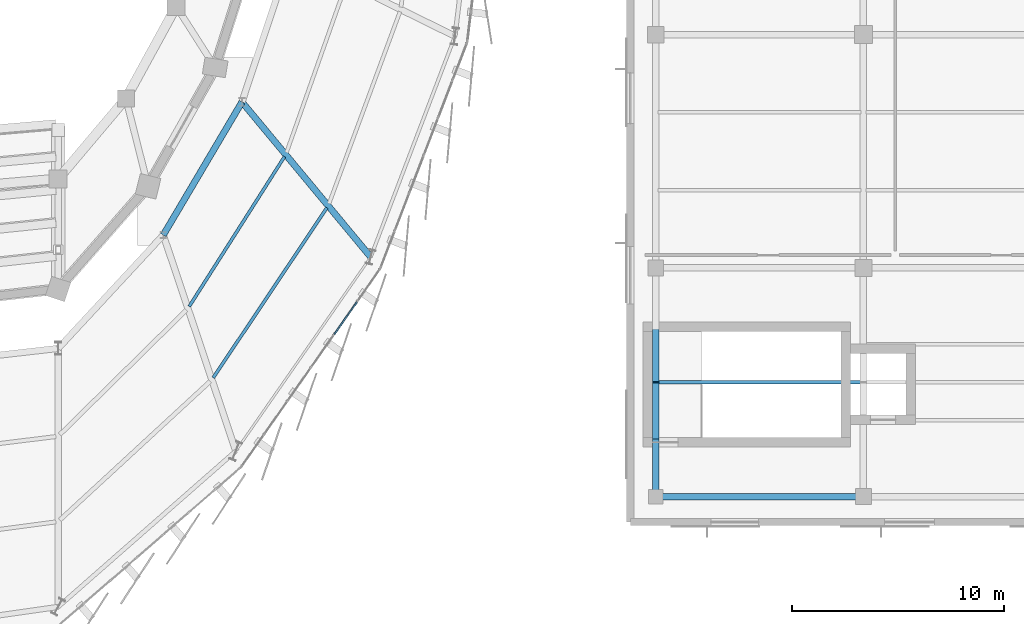
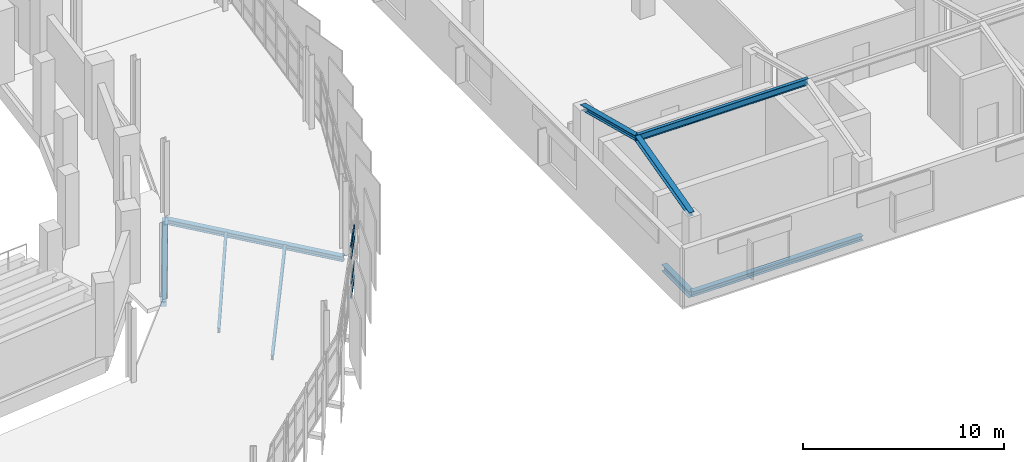
# One storey, part 62 of 120: 9 beams, 4 members, 1 element without a shape of its own.
"""IFC4 building model written with IfcOpenShell, lengths in metres."""

from ifc_helpers import new_model, si_unit, direction, frame, origin, origin_2d, place, context, subcontext, project, spatial, rectangle, i_section, extrude, material, layer, layer_set, material_profile, profile_set, type_object, element, aggregate, save


model = new_model("IFC4")

# Units and contexts
model_context = context("Model", 3, precision=1e-05, world=origin(), true_north=direction((0.0, 1.0)))
body_context = subcontext(model_context, "Body", "Model", "MODEL_VIEW")
ifc_project = project(units=[si_unit("LENGTHUNIT", "METRE"), si_unit("AREAUNIT", "SQUARE_METRE"), si_unit("VOLUMEUNIT", "CUBIC_METRE"), si_unit("PLANEANGLEUNIT", "RADIAN"), si_unit("MASSUNIT", "GRAM", prefix="KILO")], contexts=[model_context])

# Site, building, storey
site_placement = place(None, origin())
site = spatial("IfcSite", under=ifc_project, at=site_placement, CompositionType="ELEMENT")
building_placement = place(site_placement, origin())
building = spatial("IfcBuilding", under=site, at=building_placement, Name="Sohan Crest Arena", CompositionType="ELEMENT")
storey_placement = place(building_placement, frame((0.0, 0.0, 13.5)))
storey = spatial("IfcBuildingStorey", under=building, at=storey_placement, Name="L03", CompositionType="ELEMENT", Elevation=13.5)

# Curtain wall, members
ifc_material_1 = material(Name="Thermally broken anodised aluminium", Category="aluminium")
ifc_layer = layer(ifc_material_1, 0.219970703125, Name="Thermally broken anodised aluminium")
ifc_layer_set = layer_set([ifc_layer], Name="Thermally broken anodised aluminium")
curtain_wall_type = type_object("IfcCurtainWallType", Name="ARC-CW03", PredefinedType="NOTDEFINED", material=ifc_layer_set)
curtain_wall_placement = place(storey_placement, origin())
curtain_wall = element("IfcCurtainWall", 1, at=curtain_wall_placement, inside=storey, type_object=curtain_wall_type, Name="Unitised curtain wall CW-098", PredefinedType="NOTDEFINED")
ifc_material_profile_1 = material_profile(ifc_material_1, rectangle(XDim=0.070068359375, YDim=0.14990234375, at=origin_2d()), Name="ALU-TRAN 70x150")
ifc_profile_set_1 = profile_set([ifc_material_profile_1], Name="Thermally broken anodised aluminium")
member_type = type_object("IfcMemberType", Name="ARC-CW-TR03", PredefinedType="USERDEFINED", material=ifc_profile_set_1)
member_1_placement = place(storey_placement, frame((181.031982421875, 52.869140625, 0.034912109375), z_axis=(0.57383498581, 0.818970945187, 0.0), x_axis=(-0.818970945187, 0.57383498581, 0.0)))
member_1 = element("IfcMember", 2, at=member_1_placement, type_object=member_type, Name="CW-098 transom 5.1", ObjectType="TRANSOM", PredefinedType="USERDEFINED", context=body_context, shape_type="SweptSolid", body=[
    extrude(rectangle(XDim=0.070068359375, YDim=0.14990234375, at=origin_2d()), origin(), (0.0, 0.0, 1.0), 1.846435546875),
])
member_2_placement = place(storey_placement, frame((181.031982421875, 52.869140625, 0.89990234375), z_axis=(0.57383498581, 0.818970945187, 0.0), x_axis=(-0.818970945187, 0.57383498581, 0.0)))
member_2 = element("IfcMember", 3, at=member_2_placement, type_object=member_type, Name="CW-098 transom 5.2", ObjectType="TRANSOM", PredefinedType="USERDEFINED", context=body_context, shape_type="SweptSolid", body=[
    extrude(rectangle(XDim=0.070068359375, YDim=0.14990234375, at=origin_2d()), origin(), (0.0, 0.0, 1.0), 1.846435546875),
])
member_3_placement = place(storey_placement, frame((181.031982421875, 52.869140625, 2.419921875), z_axis=(0.57383498581, 0.818970945187, 0.0), x_axis=(-0.818970945187, 0.57383498581, 0.0)))
member_3 = element("IfcMember", 4, at=member_3_placement, type_object=member_type, Name="CW-098 transom 5.3", ObjectType="TRANSOM", PredefinedType="USERDEFINED", context=body_context, shape_type="SweptSolid", body=[
    extrude(rectangle(XDim=0.070068359375, YDim=0.14990234375, at=origin_2d()), origin(), (0.0, 0.0, 1.0), 1.846435546875),
])
member_4_placement = place(storey_placement, frame((181.031982421875, 52.869140625, 3.0849609375), z_axis=(0.57383498581, 0.818970945187, 0.0), x_axis=(-0.818970945187, 0.57383498581, 0.0)))
member_4 = element("IfcMember", 5, at=member_4_placement, type_object=member_type, Name="CW-098 transom 5.4", ObjectType="TRANSOM", PredefinedType="USERDEFINED", context=body_context, shape_type="SweptSolid", body=[
    extrude(rectangle(XDim=0.070068359375, YDim=0.14990234375, at=origin_2d()), origin(), (0.0, 0.0, 1.0), 1.846435546875),
])
aggregate(curtain_wall, [member_1, member_2, member_3, member_4])

# Beams
ifc_material_2 = material(Name="Steel S355", Category="steel")
ifc_material_profile_2 = material_profile(ifc_material_2, i_section(OverallWidth=0.14990234375, OverallDepth=0.300048828125, WebThickness=0.007080078125, FlangeThickness=0.0107421875, at=origin_2d()), Name="IPE 300")
ifc_profile_set_2 = profile_set([ifc_material_profile_2], Name="Steel S355")
beam_type_1 = type_object("IfcBeamType", Name="STR-BM-B01", PredefinedType="JOIST", material=ifc_profile_set_2)
beam_1_placement = place(storey_placement, frame((174.18310546875, 54.175048828125, -0.39990234375), z_axis=(0.536679400997, 0.843786241027, 0.0), x_axis=(-0.843786241027, 0.536679400997, 0.0)))
element("IfcBeam", 6, at=beam_1_placement, inside=storey, type_object=beam_type_1, Name="Structural beam J-L03-1488", PredefinedType="JOIST", context=body_context, shape_type="SweptSolid", body=[
    extrude(i_section(OverallWidth=0.14990234375, OverallDepth=0.300048828125, WebThickness=0.007080078125, FlangeThickness=0.0107421875, at=origin_2d()), origin(), (0.0, 0.0, 1.0), 8.37890625),
])
beam_2_placement = place(storey_placement, frame((175.31494140625, 50.80908203125, -0.39990234375), z_axis=(0.556006645923, 0.831177844802, 0.0), x_axis=(-0.831177844802, 0.556006645923, 0.0)))
element("IfcBeam", 7, at=beam_2_placement, inside=storey, type_object=beam_type_1, Name="Structural beam J-L03-1489", PredefinedType="JOIST", context=body_context, shape_type="SweptSolid", body=[
    extrude(i_section(OverallWidth=0.14990234375, OverallDepth=0.300048828125, WebThickness=0.007080078125, FlangeThickness=0.0107421875, at=origin_2d()), origin(), (0.0, 0.0, 1.0), 9.65478515625),
])
ifc_material_profile_3 = material_profile(ifc_material_2, i_section(OverallWidth=0.179931640625, OverallDepth=0.39990234375, WebThickness=0.008544921875, FlangeThickness=0.013427734375, at=origin_2d()), Name="IPE 400")
ifc_profile_set_3 = profile_set([ifc_material_profile_3], Name="Steel S355")
beam_type_2 = type_object("IfcBeamType", Name="STR-BM-B03", PredefinedType="JOIST", material=ifc_profile_set_3)
beam_3_placement = place(storey_placement, frame((196.199951171875, 50.60009765625, 5.820068359375), z_axis=(1.0, 0.0, 0.0), x_axis=(0.0, 1.0, 0.0)))
element("IfcBeam", 8, at=beam_3_placement, inside=storey, type_object=beam_type_2, Name="Structural beam SVP-L03-3181", PredefinedType="JOIST", context=body_context, shape_type="SweptSolid", body=[
    extrude(i_section(OverallWidth=0.179931640625, OverallDepth=0.39990234375, WebThickness=0.008544921875, FlangeThickness=0.013427734375, at=origin_2d()), origin(), (0.0, 0.0, 1.0), 9.800048828125),
])
ifc_material_profile_4 = material_profile(ifc_material_2, i_section(OverallWidth=0.300048828125, OverallDepth=0.2900390625, WebThickness=0.008544921875, FlangeThickness=0.013916015625, at=origin_2d()), Name="HEA 300")
ifc_profile_set_4 = profile_set([ifc_material_profile_4], Name="Steel S355")
beam_type_3 = type_object("IfcBeamType", Name="STR-BM-B08", PredefinedType="BEAM", material=ifc_profile_set_4)
beam_4_placement = place(storey_placement, frame((196.199951171875, 45.199951171875, -0.375), z_axis=(1.0, 0.0, 0.0), x_axis=(0.0, 1.0, 0.0)))
element("IfcBeam", 9, at=beam_4_placement, inside=storey, type_object=beam_type_3, Name="Structural beam G-L03-2358", PredefinedType="BEAM", context=body_context, shape_type="SweptSolid", body=[
    extrude(i_section(OverallWidth=0.300048828125, OverallDepth=0.2900390625, WebThickness=0.008544921875, FlangeThickness=0.013916015625, at=origin_2d()), origin(), (0.0, 0.0, 1.0), 9.800048828125),
])
beam_5_placement = place(storey_placement, frame((196.199951171875, 45.199951171875, 4.419921875), z_axis=(0.0, 0.967992172948, 0.250980383917), x_axis=(-1.0, 0.0, 0.0)))
element("IfcBeam", 10, at=beam_5_placement, inside=storey, type_object=beam_type_3, Name="Structural beam SVA-L03-3173", PredefinedType="BEAM", context=body_context, shape_type="SweptSolid", body=[
    extrude(i_section(OverallWidth=0.300048828125, OverallDepth=0.2900390625, WebThickness=0.008544921875, FlangeThickness=0.013916015625, at=origin_2d()), origin(), (0.0, 0.0, 1.0), 5.57861328125),
])
beam_6_placement = place(storey_placement, frame((196.199951171875, 50.60009765625, 5.820068359375), z_axis=(0.0, 0.967989416096, -0.250991016426), x_axis=(-1.0, 0.0, 0.0)))
element("IfcBeam", 11, at=beam_6_placement, inside=storey, type_object=beam_type_3, Name="Structural beam SVA-L03-3174", PredefinedType="BEAM", context=body_context, shape_type="SweptSolid", body=[
    extrude(i_section(OverallWidth=0.300048828125, OverallDepth=0.2900390625, WebThickness=0.008544921875, FlangeThickness=0.013916015625, at=origin_2d()), origin(), (0.0, 0.0, 1.0), 5.578369140625),
])
ifc_material_profile_5 = material_profile(ifc_material_2, i_section(OverallWidth=0.300048828125, OverallDepth=0.389892578125, WebThickness=0.010986328125, FlangeThickness=0.01904296875, at=origin_2d()), Name="HEA 400")
ifc_profile_set_5 = profile_set([ifc_material_profile_5], Name="Steel S355")
beam_type_4 = type_object("IfcBeamType", Name="STR-BM-B09", PredefinedType="BEAM", material=ifc_profile_set_5)
beam_7_placement = place(storey_placement, frame((196.199951171875, 45.199951171875, -0.425048828125), z_axis=(0.0, 1.0, 0.0), x_axis=(-1.0, 0.0, 0.0)))
element("IfcBeam", 12, at=beam_7_placement, inside=storey, type_object=beam_type_4, Name="Structural beam G-L03-2344", PredefinedType="BEAM", context=body_context, shape_type="SweptSolid", body=[
    extrude(i_section(OverallWidth=0.300048828125, OverallDepth=0.389892578125, WebThickness=0.010986328125, FlangeThickness=0.01904296875, at=origin_2d()), origin(), (0.0, 0.0, 1.0), 2.719970703125),
])
ifc_material_profile_6 = material_profile(ifc_material_2, i_section(OverallWidth=0.300048828125, OverallDepth=0.300048828125, WebThickness=0.010986328125, FlangeThickness=0.01904296875, at=origin_2d()), Name="HEB 300")
ifc_profile_set_6 = profile_set([ifc_material_profile_6], Name="Steel S355")
beam_type_5 = type_object("IfcBeamType", Name="STR-BM-B12", PredefinedType="BEAM", material=ifc_profile_set_6)
beam_8_placement = place(storey_placement, frame((172.9609375, 57.547119140625, -0.39990234375), z_axis=(0.509085626747, 0.860715879161, 0.0), x_axis=(-0.860715879161, 0.509085626747, 0.0)))
element("IfcBeam", 13, at=beam_8_placement, inside=storey, type_object=beam_type_5, Name="Structural beam G-L03-1486", PredefinedType="BEAM", context=body_context, shape_type="SweptSolid", body=[
    extrude(i_section(OverallWidth=0.300048828125, OverallDepth=0.300048828125, WebThickness=0.010986328125, FlangeThickness=0.01904296875, at=origin_2d()), origin(), (0.0, 0.0, 1.0), 7.293701171875),
])
beam_9_placement = place(storey_placement, frame((176.674072265625, 63.824951171875, -0.39990234375), z_axis=(0.638940924568, -0.7692558059, 0.0), x_axis=(0.7692558059, 0.638940924568, 0.0)))
element("IfcBeam", 14, at=beam_9_placement, inside=storey, type_object=beam_type_5, Name="Structural beam G-L03-1490", PredefinedType="BEAM", context=body_context, shape_type="SweptSolid", body=[
    extrude(i_section(OverallWidth=0.300048828125, OverallDepth=0.300048828125, WebThickness=0.010986328125, FlangeThickness=0.01904296875, at=origin_2d()), origin(), (0.0, 0.0, 1.0), 9.5078125),
])

save(model, "model.ifc")
